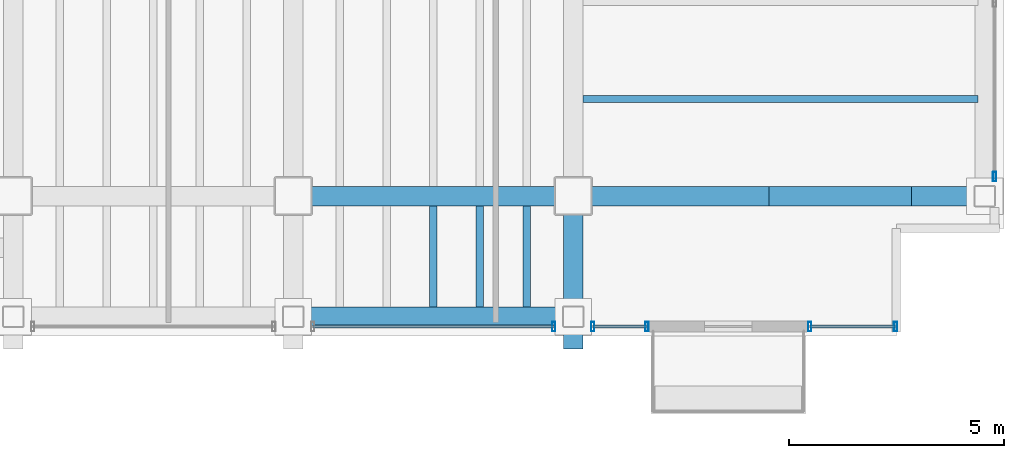
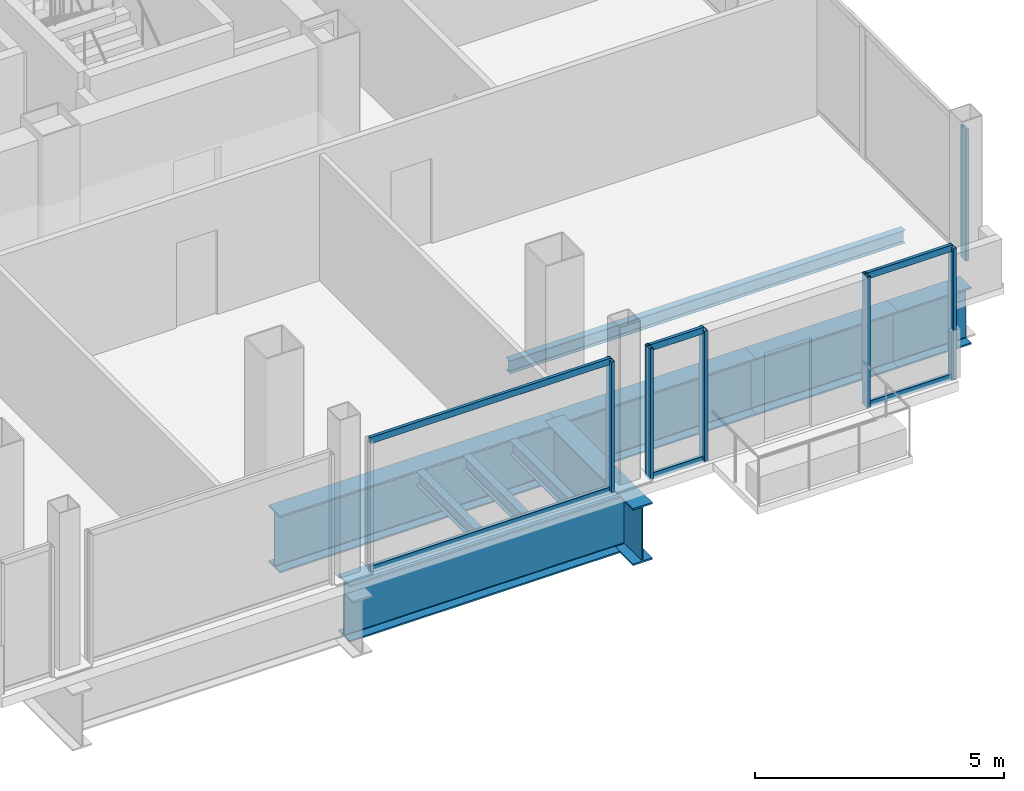
# One storey, part 11 of 19: 12 members, 10 beams, 4 elements without a shape of their own.
"""IFC4 building model written with IfcOpenShell, lengths in metres."""

from ifc_helpers import new_model, si_unit, direction, frame, origin, origin_2d, place, context, subcontext, project, spatial, hollow_rectangle, i_section, extrude, material, material_profile, profile_set, type_object, element, aggregate, save


model = new_model("IFC4")

# Units and contexts
model_context = context("Model", 3, precision=1e-05, world=origin(), true_north=direction((0.0, 1.0)))
body_context = subcontext(model_context, "Body", "Model", "MODEL_VIEW")
ifc_project = project(units=[si_unit("LENGTHUNIT", "METRE"), si_unit("AREAUNIT", "SQUARE_METRE"), si_unit("VOLUMEUNIT", "CUBIC_METRE"), si_unit("PLANEANGLEUNIT", "RADIAN"), si_unit("MASSUNIT", "GRAM", prefix="KILO")], contexts=[model_context])

# Site, building, storey
site_placement = place(None, origin())
site = spatial("IfcSite", under=ifc_project, at=site_placement, CompositionType="ELEMENT")
building_placement = place(site_placement, origin())
building = spatial("IfcBuilding", under=site, at=building_placement, Name="Noeulbin Bourse Tower", CompositionType="ELEMENT")
storey_placement = place(building_placement, frame((0.0, 0.0, 169.5)))
storey = spatial("IfcBuildingStorey", under=building, at=storey_placement, Name="L42", CompositionType="ELEMENT", Elevation=169.5)

# Beams
ifc_material_1 = material(Name="Steel S355", Category="steel")
ifc_material_profile_1 = material_profile(ifc_material_1, i_section(OverallWidth=0.159912109375, OverallDepth=0.320068359375, WebThickness=0.006591796875, FlangeThickness=0.010009765625, FilletRadius=0.012939453125, at=origin_2d()), Name="H-320x160x6.5x10", Category="LoadBearing")
ifc_profile_set_1 = profile_set([ifc_material_profile_1], Name="Steel S355")
beam_type_1 = type_object("IfcBeamType", Name="BM-JST-320", PredefinedType="JOIST", material=ifc_profile_set_1)
beam_1_placement = place(storey_placement, frame((44.22509765625, 22.25, -0.39990234375), z_axis=(1.0, 0.0, 0.0), x_axis=(0.0, 1.0, 0.0)))
element("IfcBeam", 1, at=beam_1_placement, inside=storey, type_object=beam_type_1, Name="Wing Composite Joist L42-E71", PredefinedType="JOIST", context=body_context, shape_type="SweptSolid", body=[
    extrude(i_section(OverallWidth=0.159912109375, OverallDepth=0.320068359375, WebThickness=0.006591796875, FlangeThickness=0.010009765625, FilletRadius=0.012939453125, at=origin_2d()), origin(), (0.0, 0.0, 1.0), 9.1748046875),
])
ifc_material_profile_2 = material_profile(ifc_material_1, i_section(OverallWidth=0.175048828125, OverallDepth=0.35009765625, WebThickness=0.007080078125, FlangeThickness=0.010986328125, FilletRadius=0.013916015625, at=origin_2d()), Name="H-350x175x7x11", Category="LoadBearing")
ifc_profile_set_2 = profile_set([ifc_material_profile_2], Name="Steel S355")
beam_type_2 = type_object("IfcBeamType", Name="BM-JST-350", PredefinedType="JOIST", material=ifc_profile_set_2)
for number, where, z_axis, x_axis, name in (
    (2, (40.75, 17.425048828125, -0.4150390625), (0.0, 1.0, 0.0), (-1.0, 0.0, 0.0), "Tower Composite Joist L42-56"),
    (3, (41.833251953125, 17.425048828125, -0.4150390625), (0.0, 1.0, 0.0), (-1.0, 0.0, 0.0), "Tower Composite Joist L42-59"),
    (4, (42.916748046875, 17.425048828125, -0.4150390625), (0.0, 1.0, 0.0), (-1.0, 0.0, 0.0), "Tower Composite Joist L42-62"),
):
    element("IfcBeam", number, at=place(storey_placement, frame(where, z_axis=z_axis, x_axis=x_axis)), inside=storey, type_object=beam_type_2, Name=name, PredefinedType="JOIST", context=body_context, shape_type="SweptSolid", body=[
        extrude(i_section(OverallWidth=0.175048828125, OverallDepth=0.35009765625, WebThickness=0.007080078125, FlangeThickness=0.010986328125, FilletRadius=0.013916015625, at=origin_2d()), origin(), (0.0, 0.0, 1.0), 2.349853515625),
    ])
ifc_material_2 = material(Name="Steel S460", Category="steel")
ifc_material_profile_3 = material_profile(ifc_material_2, i_section(OverallWidth=0.449951171875, OverallDepth=1.39990234375, WebThickness=0.02392578125, FlangeThickness=0.0400390625, FilletRadius=0.02392578125, at=origin_2d()), Name="PG-1400x450x24x40", Category="LoadBearing")
ifc_profile_set_3 = profile_set([ifc_material_profile_3], Name="Steel S460")
beam_type_3 = type_object("IfcBeamType", Name="BM-TRF-1400", PredefinedType="USERDEFINED", material=ifc_profile_set_3)
beam_2_placement = place(storey_placement, frame((37.5, 20.0, -0.93994140625), z_axis=(1.0, 0.0, 0.0), x_axis=(0.0, 1.0, 0.0)))
element("IfcBeam", 5, at=beam_2_placement, inside=storey, type_object=beam_type_3, Name="Tower Primary Girder EW L42-1.5", ObjectType="GIRDER", PredefinedType="USERDEFINED", context=body_context, shape_type="SweptSolid", body=[
    extrude(i_section(OverallWidth=0.449951171875, OverallDepth=1.39990234375, WebThickness=0.02392578125, FlangeThickness=0.0400390625, FilletRadius=0.02392578125, at=origin_2d()), origin(), (0.0, 0.0, 1.0), 6.5),
])
beam_3_placement = place(storey_placement, frame((44.0, 20.0, -0.93994140625), z_axis=(1.0, 0.0, 0.0), x_axis=(0.0, 1.0, 0.0)))
element("IfcBeam", 6, at=beam_3_placement, inside=storey, type_object=beam_type_3, Name="Tower Primary Girder EW L42-1.6", ObjectType="GIRDER", PredefinedType="USERDEFINED", context=body_context, shape_type="SweptSolid", body=[
    extrude(i_section(OverallWidth=0.449951171875, OverallDepth=1.39990234375, WebThickness=0.02392578125, FlangeThickness=0.0400390625, FilletRadius=0.02392578125, at=origin_2d()), origin(), (0.0, 0.0, 1.0), 4.550048828125),
])
beam_4_placement = place(storey_placement, frame((48.550048828125, 20.0, -0.93994140625), z_axis=(1.0, 0.0, 0.0), x_axis=(0.0, 1.0, 0.0)))
element("IfcBeam", 7, at=beam_4_placement, inside=storey, type_object=beam_type_3, Name="Tower Primary Girder EW L42-1.7", ObjectType="GIRDER", PredefinedType="USERDEFINED", context=body_context, shape_type="SweptSolid", body=[
    extrude(i_section(OverallWidth=0.449951171875, OverallDepth=1.39990234375, WebThickness=0.02392578125, FlangeThickness=0.0400390625, FilletRadius=0.02392578125, at=origin_2d()), origin(), (0.0, 0.0, 1.0), 3.300048828125),
])
beam_5_placement = place(storey_placement, frame((51.85009765625, 20.0, -0.93994140625), z_axis=(1.0, 0.0, 0.0), x_axis=(0.0, 1.0, 0.0)))
element("IfcBeam", 8, at=beam_5_placement, inside=storey, type_object=beam_type_3, Name="Tower Primary Girder EW L42-1.8", ObjectType="GIRDER", PredefinedType="USERDEFINED", context=body_context, shape_type="SweptSolid", body=[
    extrude(i_section(OverallWidth=0.449951171875, OverallDepth=1.39990234375, WebThickness=0.02392578125, FlangeThickness=0.0400390625, FilletRadius=0.02392578125, at=origin_2d()), origin(), (0.0, 0.0, 1.0), 1.699951171875),
])
beam_6_placement = place(storey_placement, frame((44.0, 16.449951171875, -0.93994140625), z_axis=(0.0, 1.0, 0.0), x_axis=(-1.0, 0.0, 0.0)))
element("IfcBeam", 9, at=beam_6_placement, inside=storey, type_object=beam_type_3, Name="Tower Primary Girder NS L42-5.1", ObjectType="GIRDER", PredefinedType="USERDEFINED", context=body_context, shape_type="SweptSolid", body=[
    extrude(i_section(OverallWidth=0.449951171875, OverallDepth=1.39990234375, WebThickness=0.02392578125, FlangeThickness=0.0400390625, FilletRadius=0.02392578125, at=origin_2d()), origin(), (0.0, 0.0, 1.0), 3.550048828125),
])
beam_7_placement = place(storey_placement, frame((37.5, 17.199951171875, -0.93994140625), z_axis=(1.0, 0.0, 0.0), x_axis=(0.0, 1.0, 0.0)))
element("IfcBeam", 10, at=beam_7_placement, inside=storey, type_object=beam_type_3, Name="South Spandrel L42-4", ObjectType="GIRDER", PredefinedType="USERDEFINED", context=body_context, shape_type="SweptSolid", body=[
    extrude(i_section(OverallWidth=0.449951171875, OverallDepth=1.39990234375, WebThickness=0.02392578125, FlangeThickness=0.0400390625, FilletRadius=0.02392578125, at=origin_2d()), origin(), (0.0, 0.0, 1.0), 6.5),
])

# Curtain wall, member
ifc_material_3 = material(Name="Dark Tinted Triple Glazing", Category="glass")
curtain_wall_type = type_object("IfcCurtainWallType", Name="CW-SYS-3", PredefinedType="NOTDEFINED", material=ifc_material_3)
curtain_wall_1_placement = place(storey_placement, origin())
curtain_wall_1 = element("IfcCurtainWall", 11, at=curtain_wall_1_placement, inside=storey, type_object=curtain_wall_type, Name="Unitised Curtain Wall CW-L42-S2-S3", PredefinedType="NOTDEFINED")
ifc_material_4 = material(Name="Anodised Aluminium 6063-T6", Category="aluminium")
ifc_material_profile_4 = material_profile(ifc_material_4, hollow_rectangle(XDim=0.074951171875, YDim=0.219970703125, WallThickness=0.0048828125, InnerFilletRadius=0.00244140625, OuterFilletRadius=0.0048828125, at=origin_2d()), Name="ALU-MULL-75x220x5", Category="LoadBearing")
ifc_profile_set_4 = profile_set([ifc_material_profile_4], Name="Anodised Aluminium 6063-T6")
member_type_1 = type_object("IfcMemberType", Name="CW-SYS-3-MUL", PredefinedType="MULLION", material=ifc_profile_set_4)
member_1_placement = place(storey_placement, frame((43.550048828125, 16.969970703125, -0.02001953125), z_axis=(0.0, 0.0, 1.0), x_axis=(1.0, 0.0, 0.0)))
member_1 = element("IfcMember", 12, at=member_1_placement, type_object=member_type_1, Name="Curtain Wall Mullion CW-L42-S2-S3-M01", PredefinedType="MULLION", context=body_context, shape_type="SweptSolid", body=[
    extrude(hollow_rectangle(XDim=0.074951171875, YDim=0.219970703125, WallThickness=0.0048828125, InnerFilletRadius=0.00244140625, OuterFilletRadius=0.0048828125, at=origin_2d()), origin(), (0.0, 0.0, 1.0), 3.219970703125),
])

# Curtain wall, members
curtain_wall_2_placement = place(storey_placement, origin())
curtain_wall_2 = element("IfcCurtainWall", 13, at=curtain_wall_2_placement, inside=storey, type_object=curtain_wall_type, Name="Unitised Curtain Wall CW-L42-S2-S4", PredefinedType="NOTDEFINED")
member_2_placement = place(storey_placement, frame((44.449951171875, 16.969970703125, -0.02001953125), z_axis=(0.0, 0.0, 1.0), x_axis=(1.0, 0.0, 0.0)))
member_2 = element("IfcMember", 14, at=member_2_placement, type_object=member_type_1, Name="Curtain Wall Mullion CW-L42-S2-S4-M00", PredefinedType="MULLION", context=body_context, shape_type="SweptSolid", body=[
    extrude(hollow_rectangle(XDim=0.074951171875, YDim=0.219970703125, WallThickness=0.0048828125, InnerFilletRadius=0.00244140625, OuterFilletRadius=0.0048828125, at=origin_2d()), origin(), (0.0, 0.0, 1.0), 3.219970703125),
])
member_3_placement = place(storey_placement, frame((45.7099609375, 16.969970703125, -0.02001953125), z_axis=(0.0, 0.0, 1.0), x_axis=(1.0, 0.0, 0.0)))
member_3 = element("IfcMember", 15, at=member_3_placement, type_object=member_type_1, Name="Curtain Wall Mullion CW-L42-S2-S4-M01", PredefinedType="MULLION", context=body_context, shape_type="SweptSolid", body=[
    extrude(hollow_rectangle(XDim=0.074951171875, YDim=0.219970703125, WallThickness=0.0048828125, InnerFilletRadius=0.00244140625, OuterFilletRadius=0.0048828125, at=origin_2d()), origin(), (0.0, 0.0, 1.0), 3.219970703125),
])

curtain_wall_3_placement = place(storey_placement, origin())
curtain_wall_3 = element("IfcCurtainWall", 16, at=curtain_wall_3_placement, inside=storey, type_object=curtain_wall_type, Name="Unitised Curtain Wall CW-L42-S3", PredefinedType="NOTDEFINED")
member_4_placement = place(storey_placement, frame((49.489990234375, 16.969970703125, -0.02001953125), z_axis=(0.0, 0.0, 1.0), x_axis=(1.0, 0.0, 0.0)))
member_4 = element("IfcMember", 17, at=member_4_placement, type_object=member_type_1, Name="Curtain Wall Mullion CW-L42-S3-M00", PredefinedType="MULLION", context=body_context, shape_type="SweptSolid", body=[
    extrude(hollow_rectangle(XDim=0.074951171875, YDim=0.219970703125, WallThickness=0.0048828125, InnerFilletRadius=0.00244140625, OuterFilletRadius=0.0048828125, at=origin_2d()), origin(), (0.0, 0.0, 1.0), 3.219970703125),
])
member_5_placement = place(storey_placement, frame((51.47998046875, 16.969970703125, -0.02001953125), z_axis=(0.0, 0.0, 1.0), x_axis=(1.0, 0.0, 0.0)))
member_5 = element("IfcMember", 18, at=member_5_placement, type_object=member_type_1, Name="Curtain Wall Mullion CW-L42-S3-M01", PredefinedType="MULLION", context=body_context, shape_type="SweptSolid", body=[
    extrude(hollow_rectangle(XDim=0.074951171875, YDim=0.219970703125, WallThickness=0.0048828125, InnerFilletRadius=0.00244140625, OuterFilletRadius=0.0048828125, at=origin_2d()), origin(), (0.0, 0.0, 1.0), 3.219970703125),
])

# Curtain wall, member
curtain_wall_4_placement = place(storey_placement, origin())
curtain_wall_4 = element("IfcCurtainWall", 19, at=curtain_wall_4_placement, inside=storey, type_object=curtain_wall_type, Name="Unitised Curtain Wall CW-L42-E-S1", PredefinedType="NOTDEFINED")
member_6_placement = place(storey_placement, frame((53.780029296875, 20.449951171875, -0.02001953125), z_axis=(0.0, 0.0, 1.0), x_axis=(1.0, 0.0, 0.0)))
member_6 = element("IfcMember", 20, at=member_6_placement, type_object=member_type_1, Name="Curtain Wall Mullion CW-L42-E-S1-M00", PredefinedType="MULLION", context=body_context, shape_type="SweptSolid", body=[
    extrude(hollow_rectangle(XDim=0.074951171875, YDim=0.219970703125, WallThickness=0.0048828125, InnerFilletRadius=0.00244140625, OuterFilletRadius=0.0048828125, at=origin_2d()), origin(), (0.0, 0.0, 1.0), 3.219970703125),
])
aggregate(curtain_wall_4, [member_6])

# Member
ifc_material_profile_5 = material_profile(ifc_material_4, hollow_rectangle(XDim=0.074951171875, YDim=0.159912109375, WallThickness=0.0048828125, InnerFilletRadius=0.00244140625, OuterFilletRadius=0.0048828125, at=origin_2d()), Name="ALU-TRAN-75x160x5", Category="LoadBearing")
ifc_profile_set_5 = profile_set([ifc_material_profile_5], Name="Anodised Aluminium 6063-T6")
member_type_2 = type_object("IfcMemberType", Name="CW-SYS-3-TRN", PredefinedType="USERDEFINED", material=ifc_profile_set_5)
member_7_placement = place(storey_placement, frame((37.9599609375, 16.969970703125, 0.010009765625), z_axis=(1.0, 0.0, 0.0), x_axis=(0.0, 1.0, 0.0)))
member_7 = element("IfcMember", 21, at=member_7_placement, type_object=member_type_2, Name="Curtain Wall Transom CW-L42-S2-S3-T00", ObjectType="TRANSOM", PredefinedType="USERDEFINED", context=body_context, shape_type="SweptSolid", body=[
    extrude(hollow_rectangle(XDim=0.074951171875, YDim=0.159912109375, WallThickness=0.0048828125, InnerFilletRadius=0.00244140625, OuterFilletRadius=0.0048828125, at=origin_2d()), origin(), (0.0, 0.0, 1.0), 5.580078125),
])

member_8_placement = place(storey_placement, frame((37.9599609375, 16.969970703125, 3.169921875), z_axis=(1.0, 0.0, 0.0), x_axis=(0.0, 1.0, 0.0)))
member_8 = element("IfcMember", 22, at=member_8_placement, type_object=member_type_2, Name="Curtain Wall Transom CW-L42-S2-S3-T01", ObjectType="TRANSOM", PredefinedType="USERDEFINED", context=body_context, shape_type="SweptSolid", body=[
    extrude(hollow_rectangle(XDim=0.074951171875, YDim=0.159912109375, WallThickness=0.0048828125, InnerFilletRadius=0.00244140625, OuterFilletRadius=0.0048828125, at=origin_2d()), origin(), (0.0, 0.0, 1.0), 5.580078125),
])

aggregate(curtain_wall_1, [member_1, member_7, member_8])

member_9_placement = place(storey_placement, frame((44.4599609375, 16.969970703125, 0.010009765625), z_axis=(1.0, 0.0, 0.0), x_axis=(0.0, 1.0, 0.0)))
member_9 = element("IfcMember", 23, at=member_9_placement, type_object=member_type_2, Name="Curtain Wall Transom CW-L42-S2-S4-T00", ObjectType="TRANSOM", PredefinedType="USERDEFINED", context=body_context, shape_type="SweptSolid", body=[
    extrude(hollow_rectangle(XDim=0.074951171875, YDim=0.159912109375, WallThickness=0.0048828125, InnerFilletRadius=0.00244140625, OuterFilletRadius=0.0048828125, at=origin_2d()), origin(), (0.0, 0.0, 1.0), 1.239990234375),
])

member_10_placement = place(storey_placement, frame((44.4599609375, 16.969970703125, 3.169921875), z_axis=(1.0, 0.0, 0.0), x_axis=(0.0, 1.0, 0.0)))
member_10 = element("IfcMember", 24, at=member_10_placement, type_object=member_type_2, Name="Curtain Wall Transom CW-L42-S2-S4-T01", ObjectType="TRANSOM", PredefinedType="USERDEFINED", context=body_context, shape_type="SweptSolid", body=[
    extrude(hollow_rectangle(XDim=0.074951171875, YDim=0.159912109375, WallThickness=0.0048828125, InnerFilletRadius=0.00244140625, OuterFilletRadius=0.0048828125, at=origin_2d()), origin(), (0.0, 0.0, 1.0), 1.239990234375),
])

aggregate(curtain_wall_2, [member_2, member_3, member_9, member_10])

member_11_placement = place(storey_placement, frame((49.5, 16.969970703125, 0.010009765625), z_axis=(1.0, 0.0, 0.0), x_axis=(0.0, 1.0, 0.0)))
member_11 = element("IfcMember", 25, at=member_11_placement, type_object=member_type_2, Name="Curtain Wall Transom CW-L42-S3-T00", ObjectType="TRANSOM", PredefinedType="USERDEFINED", context=body_context, shape_type="SweptSolid", body=[
    extrude(hollow_rectangle(XDim=0.074951171875, YDim=0.159912109375, WallThickness=0.0048828125, InnerFilletRadius=0.00244140625, OuterFilletRadius=0.0048828125, at=origin_2d()), origin(), (0.0, 0.0, 1.0), 1.969970703125),
])

member_12_placement = place(storey_placement, frame((49.5, 16.969970703125, 3.169921875), z_axis=(1.0, 0.0, 0.0), x_axis=(0.0, 1.0, 0.0)))
member_12 = element("IfcMember", 26, at=member_12_placement, type_object=member_type_2, Name="Curtain Wall Transom CW-L42-S3-T01", ObjectType="TRANSOM", PredefinedType="USERDEFINED", context=body_context, shape_type="SweptSolid", body=[
    extrude(hollow_rectangle(XDim=0.074951171875, YDim=0.159912109375, WallThickness=0.0048828125, InnerFilletRadius=0.00244140625, OuterFilletRadius=0.0048828125, at=origin_2d()), origin(), (0.0, 0.0, 1.0), 1.969970703125),
])

aggregate(curtain_wall_3, [member_4, member_5, member_11, member_12])

save(model, "model.ifc")
